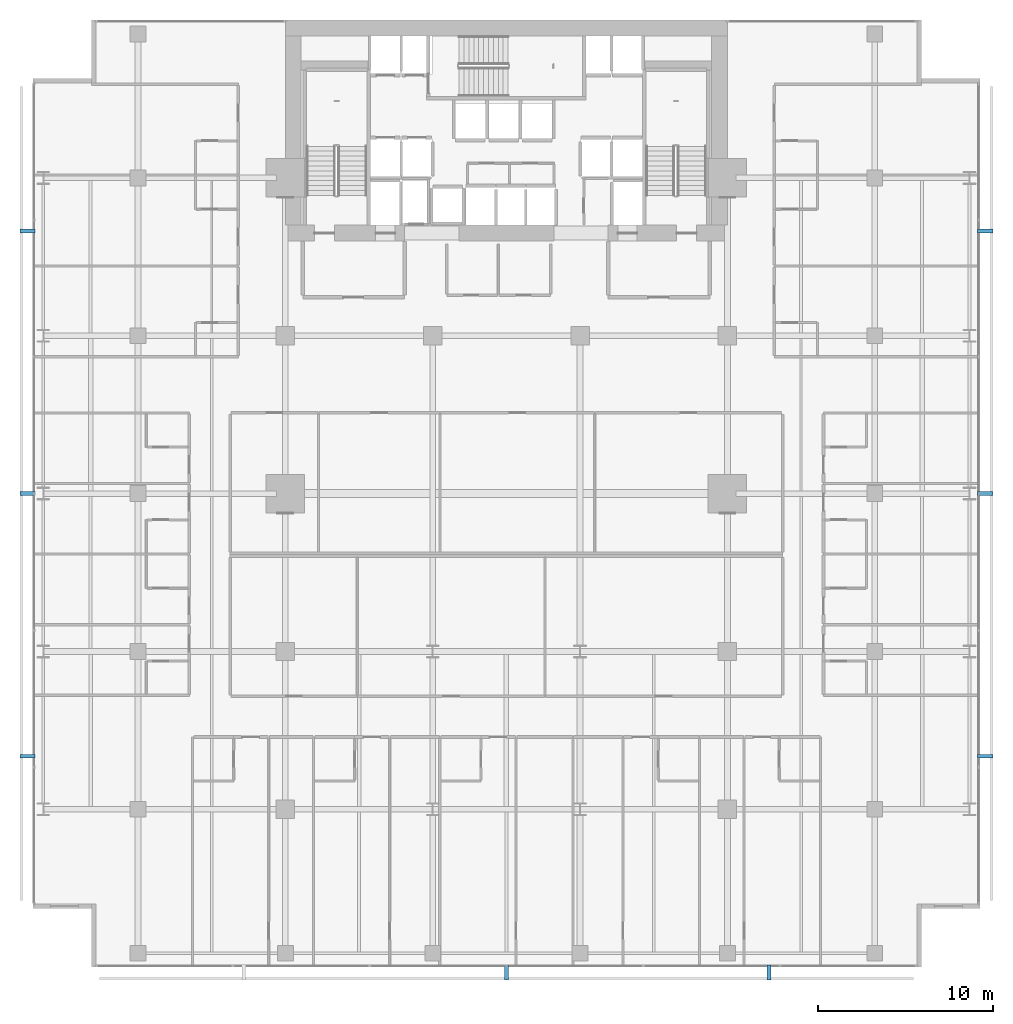
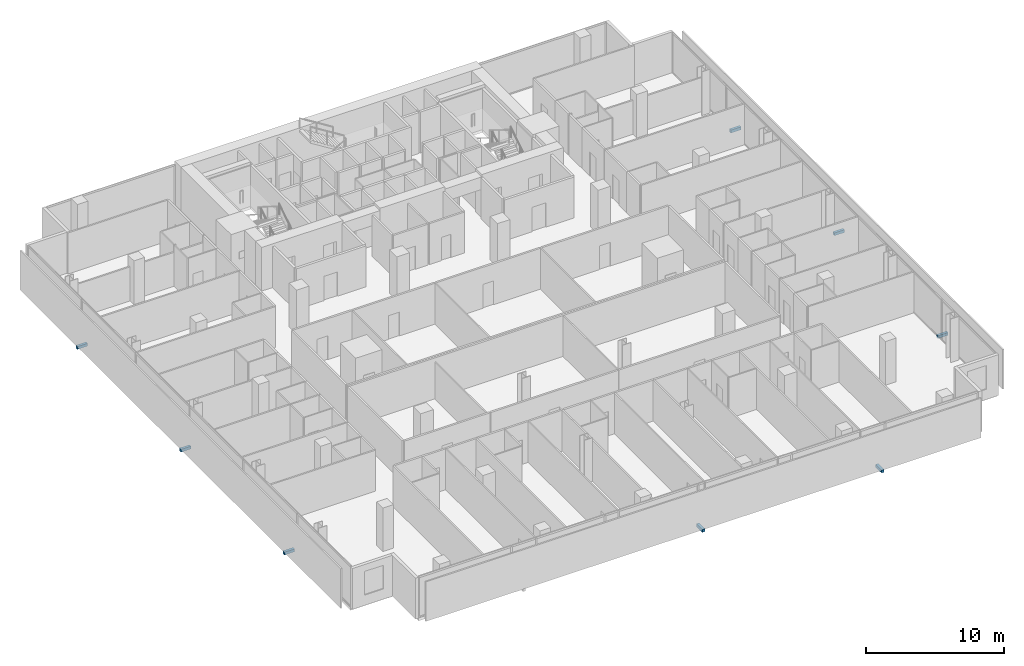
# One storey, part 39 of 41: 8 discrete accessories.
"""IFC4 building model written with IfcOpenShell, lengths in metres."""

from ifc_helpers import new_model, si_unit, direction, frame, origin, origin_2d, place, context, subcontext, project, spatial, rectangle, extrude, material, type_object, element, save


model = new_model("IFC4")

# Units and contexts
model_context = context("Model", 3, precision=1e-05, world=origin(), true_north=direction((0.0, 1.0)))
body_context = subcontext(model_context, "Body", "Model", "MODEL_VIEW")
ifc_project = project(units=[si_unit("LENGTHUNIT", "METRE"), si_unit("AREAUNIT", "SQUARE_METRE"), si_unit("VOLUMEUNIT", "CUBIC_METRE"), si_unit("PLANEANGLEUNIT", "RADIAN"), si_unit("MASSUNIT", "GRAM", prefix="KILO")], contexts=[model_context])

# Site, building, storey
site_placement = place(None, origin())
site = spatial("IfcSite", under=ifc_project, at=site_placement, CompositionType="ELEMENT")
building_placement = place(site_placement, origin())
building = spatial("IfcBuilding", under=site, at=building_placement, Name="Maruvema Waterfront Hotel and Observation Tower", CompositionType="ELEMENT")
storey_placement = place(building_placement, frame((0.0, 0.0, 84.699951171875)))
storey = spatial("IfcBuildingStorey", under=building, at=storey_placement, Name="L20", CompositionType="ELEMENT", Elevation=84.699951171875)

# Discrete accessories
ifc_material = material(Name="Duplex stainless steel Grade 2205", Category="steel")
discrete_accessory_type = type_object("IfcDiscreteAccessoryType", Name="Double-Skin Cavity Stainless Outrigger Bracket", PredefinedType="BRACKET", material=ifc_material)
for number, where, z_axis, x_axis, name in (
    (1, (37.800048828125, -0.300048828125, -0.14013671875), (0.0, 0.0, 1.0), (1.0, 0.0, 0.0), "L20 Outer Skin Support Bracket 2"),
    (2, (52.77587890625, -0.300048828125, -0.14013671875), (0.0, 0.0, 1.0), (1.0, 0.0, 0.0), "L20 Outer Skin Support Bracket 3"),
    (3, (65.10009765625, 12.02392578125, -0.14013671875), (0.0, 0.0, 1.0), (0.0, 1.0, 0.0), "L20 Outer Skin Support Bracket 1"),
    (4, (65.10009765625, 27.0, -0.14013671875), (0.0, 0.0, 1.0), (0.0, 1.0, 0.0), "L20 Outer Skin Support Bracket 2"),
    (5, (65.10009765625, 41.97607421875, -0.14013671875), (0.0, 0.0, 1.0), (0.0, 1.0, 0.0), "L20 Outer Skin Support Bracket 3"),
    (6, (10.5, 41.97607421875, -0.14013671875), (0.0, 0.0, 1.0), (0.0, -1.0, 0.0), "L20 Outer Skin Support Bracket 1"),
    (7, (10.5, 27.0, -0.14013671875), (0.0, 0.0, 1.0), (0.0, -1.0, 0.0), "L20 Outer Skin Support Bracket 2"),
    (8, (10.5, 12.02392578125, -0.14013671875), (0.0, 0.0, 1.0), (0.0, -1.0, 0.0), "L20 Outer Skin Support Bracket 3"),
):
    element("IfcDiscreteAccessory", number, at=place(storey_placement, frame(where, z_axis=z_axis, x_axis=x_axis)), inside=storey, type_object=discrete_accessory_type, Name=name, PredefinedType="BRACKET", context=body_context, shape_type="SweptSolid", body=[
        extrude(rectangle(XDim=0.219970703125, YDim=0.860107421875, at=origin_2d()), origin(), (0.0, 0.0, 1.0), 0.239990234375),
    ])

save(model, "model.ifc")
